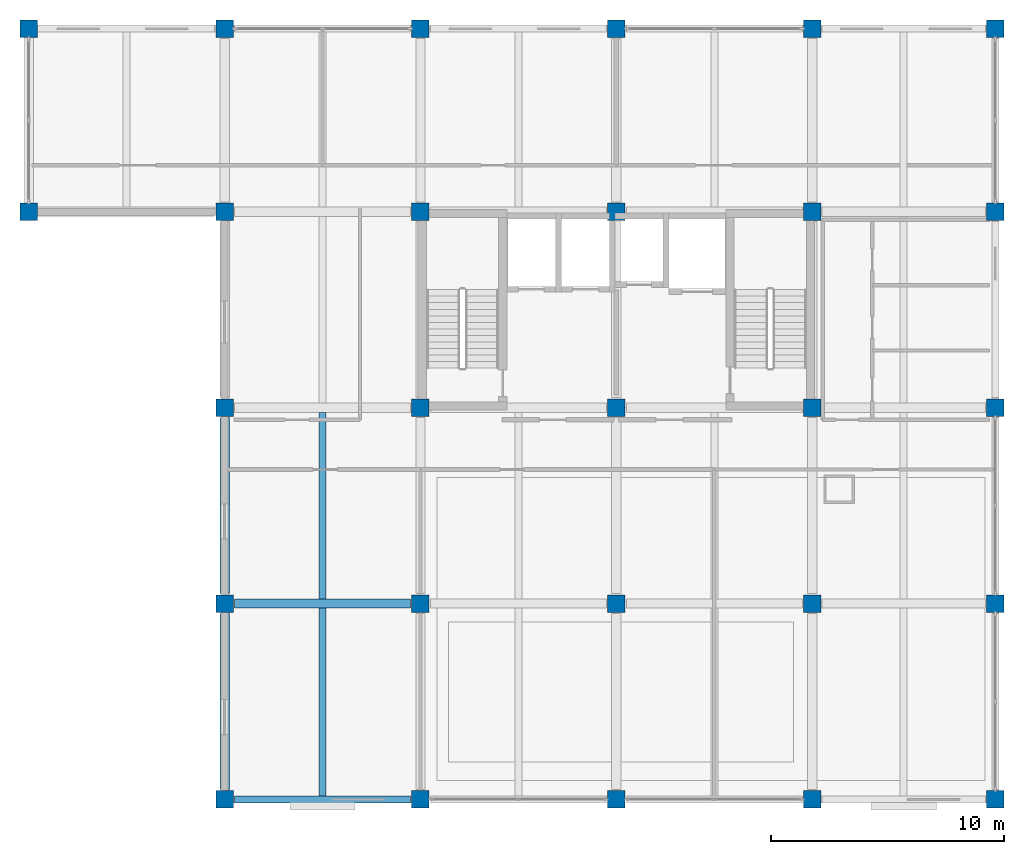
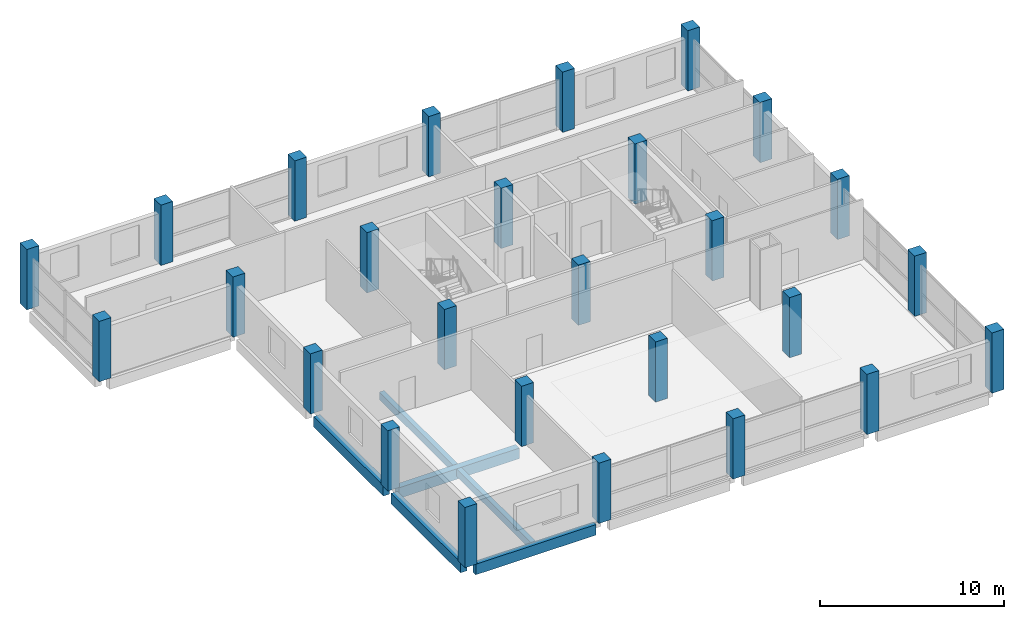
# One storey, part 1 of 9: 27 columns, 6 beams.
"""IFC4 building model written with IfcOpenShell, lengths in metres."""

import ifcopenshell
import ifcopenshell.guid

model = None  # the IFC model being written
_history = None  # IfcOwnerHistory: only IFC2X3 demands one
_inside = {}  # id of a spatial element -> (the spatial element, [elements in it])
_under = {}  # id of a project, library or spatial element -> (it, [spatial elements below it])
_declared = {}  # id of a project -> (the project, [libraries it declares])
_typed = {}  # id of a type object -> (the type object, [elements of that type])
_made_of = {}  # id of a material, layer set ... -> (it, [elements and type objects made of it])


def new_model(schema):
    """Start an empty IFC model of exactly this schema.

    Asked for "IFC4X3", IfcOpenShell would pick the latest addendum, in which some entities
    have other attributes; the version numbers below select the first issue.
    IFC2X3 requires an IfcOwnerHistory on every rooted entity: one is made here for all.
    """
    global model, _history
    if schema == "IFC4X3":
        model = ifcopenshell.file(schema_version=(4, 3, 0, 0))
    else:
        model = ifcopenshell.file(schema=schema)
    _inside.clear()
    _under.clear()
    _declared.clear()
    _typed.clear()
    _made_of.clear()
    _history = None
    if model.schema == "IFC2X3":
        org = make("IfcOrganization", Name="unknown")
        user = make(
            "IfcPersonAndOrganization",
            ThePerson=make("IfcPerson", FamilyName="unknown"),
            TheOrganization=org,
        )
        app = make(
            "IfcApplication",
            ApplicationDeveloper=org,
            Version="unknown",
            ApplicationFullName="unknown",
            ApplicationIdentifier="unknown",
        )
        _history = make(
            "IfcOwnerHistory",
            OwningUser=user,
            OwningApplication=app,
            ChangeAction="ADDED",
            CreationDate=0,
        )
    return model


def make(cls, **values):
    """One entity of the class cls with the attributes given. An attribute that is None is left unset."""
    return model.create_entity(
        cls, **{name: value for name, value in values.items() if value is not None}
    )


def rooted(cls, **values):
    """An entity with a GlobalId (a new one), such as an element, a storey or a relation."""
    return make(cls, GlobalId=ifcopenshell.guid.new(), OwnerHistory=_history, **values)


def si_unit(unit_type, name, prefix=None):
    """IfcSIUnit, for example si_unit("LENGTHUNIT", "METRE", prefix="MILLI")."""
    return make("IfcSIUnit", UnitType=unit_type, Prefix=prefix, Name=name)


def assignment(units):
    """IfcUnitAssignment: the units of a project."""
    return None if units is None else make("IfcUnitAssignment", Units=units)


def point(xyz):
    """IfcCartesianPoint."""
    return None if xyz is None else make("IfcCartesianPoint", Coordinates=xyz)


def direction(xyz):
    """IfcDirection."""
    return None if xyz is None else make("IfcDirection", DirectionRatios=xyz)


def frame(location, z_axis=None, x_axis=None):
    """IfcAxis2Placement3D, a coordinate frame: its origin and axes. An axis left out is left unset."""
    return make(
        "IfcAxis2Placement3D",
        Location=point(location),
        Axis=direction(z_axis),
        RefDirection=direction(x_axis),
    )


def frame_2d(location, x_axis=None):
    """IfcAxis2Placement2D, a coordinate frame in the plane: its origin and x axis."""
    return make(
        "IfcAxis2Placement2D", Location=point(location), RefDirection=direction(x_axis)
    )


def origin():
    """The frame at (0, 0, 0) with its axes left unset."""
    return frame((0.0, 0.0, 0.0))


def origin_2d():
    """The frame at (0, 0) in the plane with its x axis left unset."""
    return frame_2d((0.0, 0.0))


def place(relative_to, where):
    """IfcLocalPlacement: puts the frame where relative to a parent placement (None: the world)."""
    return make(
        "IfcLocalPlacement", PlacementRelTo=relative_to, RelativePlacement=where
    )


def context(
    kind, dimensions, precision=None, world=None, true_north=None, identifier=None
):
    """IfcGeometricRepresentationContext, for example the 3D "Model" context."""
    return make(
        "IfcGeometricRepresentationContext",
        ContextIdentifier=identifier,
        ContextType=kind,
        CoordinateSpaceDimension=dimensions,
        Precision=precision,
        WorldCoordinateSystem=world,
        TrueNorth=true_north,
    )


def subcontext(parent, identifier, kind, view, scale=None):
    """IfcGeometricRepresentationSubContext, for example "Body" below "Model"."""
    return make(
        "IfcGeometricRepresentationSubContext",
        ContextIdentifier=identifier,
        ContextType=kind,
        ParentContext=parent,
        TargetScale=scale,
        TargetView=view,
    )


def project(units=None, contexts=None):
    """IfcProject with its units and contexts."""
    return rooted(
        "IfcProject",
        Name="project",
        RepresentationContexts=contexts,
        UnitsInContext=assignment(units),
    )


def spatial(cls, under=None, at=None, **own):
    """A site, building, storey or space (cls), placed at a placement, below another one or the project."""
    s = rooted(cls, ObjectPlacement=at, **own)
    if under is not None:
        _under.setdefault(under.id(), (under, []))[1].append(s)
    return s


def profile(cls, at=None, kind="AREA", **sizes):
    """A parametric profile (cls). Its sizes go by their IFC names, for example OverallWidth=200.0."""
    return make(cls, ProfileType=kind, Position=at, **sizes)


def rectangle(**sizes):
    """IfcRectangleProfileDef."""
    return profile("IfcRectangleProfileDef", **sizes)


def extrude(swept, where, along, depth):
    """IfcExtrudedAreaSolid: the profile swept, set in the frame where, extruded along a direction by depth."""
    return make(
        "IfcExtrudedAreaSolid",
        SweptArea=swept,
        Position=where,
        ExtrudedDirection=direction(along),
        Depth=depth,
    )


def shape(context_of_items, identifier, shape_type, items):
    """IfcShapeRepresentation: the items that make up one representation, for example the "Body"."""
    return make(
        "IfcShapeRepresentation",
        ContextOfItems=context_of_items,
        RepresentationIdentifier=identifier,
        RepresentationType=shape_type,
        Items=items,
    )


def material(Name=None, Category=None):
    """IfcMaterial."""
    return make("IfcMaterial", Name=Name, Category=Category)


def material_profile(
    of_material, cross_section, Name=None, Category=None, Priority=None
):
    """IfcMaterialProfile: a cross section and its material."""
    return make(
        "IfcMaterialProfile",
        Name=Name,
        Material=of_material,
        Profile=cross_section,
        Priority=Priority,
        Category=Category,
    )


def profile_set(profiles, Name=None, composite=None):
    """IfcMaterialProfileSet."""
    return make(
        "IfcMaterialProfileSet",
        Name=Name,
        MaterialProfiles=profiles,
        CompositeProfile=composite,
    )


def made_of(thing, what):
    """Note that an element or type object is made of a material, layer set ...; save() writes the relation."""
    if what is not None:
        _made_of.setdefault(what.id(), (what, []))[1].append(thing)
    return thing


def type_object(cls, material=None, **own):
    """A type object (cls), such as IfcWallType, which elements share."""
    return made_of(rooted(cls, **own), material)


def element(
    cls,
    number,
    at=None,
    inside=None,
    cuts=None,
    type_object=None,
    material=None,
    context=None,
    identifier="Body",
    shape_type=None,
    held_by="IfcProductDefinitionShape",
    body=None,
    shapes=None,
    **own,
):
    """One element of the class cls, such as IfcWall. Its Tag is "e" and its number.

    at: its placement. inside: the storey or other place that contains it. cuts: it is an
    opening in that element (IfcRelVoidsElement). A single representation is given by context,
    identifier, shape_type and body (its items); several are given by shapes. held_by: the class
    of the entity that holds the representations. save() writes the other relations.
    """
    e = rooted(cls, Tag="e%d" % number, ObjectPlacement=at, **own)
    if body is not None:
        shapes = [shape(context, identifier, shape_type, body)]
    if shapes is not None:
        e.Representation = make(held_by, Representations=shapes)
    if inside is not None:
        _inside.setdefault(inside.id(), (inside, []))[1].append(e)
    if cuts is not None:
        rooted(
            "IfcRelVoidsElement", RelatingBuildingElement=cuts, RelatedOpeningElement=e
        )
    if type_object is not None:
        _typed.setdefault(type_object.id(), (type_object, []))[1].append(e)
    return made_of(e, material)


def aggregate(whole, parts):
    """IfcRelAggregates: a whole, such as a stair, and the parts it consists of."""
    return rooted("IfcRelAggregates", RelatingObject=whole, RelatedObjects=parts)


def save(model, path):
    """Write the relations noted so far, then the file.

    IfcRelAggregates (storeys below a building ...), IfcRelContainedInSpatialStructure (elements
    in a storey), IfcRelDefinesByType, IfcRelAssociatesMaterial and IfcRelDeclares: one each for
    every whole, place, type object, material and project.
    """
    for whole, parts in _under.values():
        aggregate(whole, parts)
    for where, things in _inside.values():
        rooted(
            "IfcRelContainedInSpatialStructure",
            RelatedElements=things,
            RelatingStructure=where,
        )
    for kind, things in _typed.values():
        rooted("IfcRelDefinesByType", RelatedObjects=things, RelatingType=kind)
    for what, things in _made_of.values():
        rooted("IfcRelAssociatesMaterial", RelatedObjects=things, RelatingMaterial=what)
    for by, libraries in _declared.values():
        rooted("IfcRelDeclares", RelatingContext=by, RelatedDefinitions=libraries)
    model.write(path)


model = new_model("IFC4")

# Units and contexts
model_context = context("Model", 3, precision=1e-05, world=origin(), true_north=direction((0.0, 1.0)))
body_context = subcontext(model_context, "Body", "Model", "MODEL_VIEW")
ifc_project = project(units=[si_unit("LENGTHUNIT", "METRE"), si_unit("AREAUNIT", "SQUARE_METRE"), si_unit("VOLUMEUNIT", "CUBIC_METRE"), si_unit("PLANEANGLEUNIT", "RADIAN"), si_unit("MASSUNIT", "GRAM", prefix="KILO")], contexts=[model_context])

# Site, building, storey
site_placement = place(None, origin())
site = spatial("IfcSite", under=ifc_project, at=site_placement, CompositionType="ELEMENT")
building_placement = place(site_placement, origin())
building = spatial("IfcBuilding", under=site, at=building_placement, Name="Brinegate Botanical Conservatory", CompositionType="ELEMENT")
storey_placement = place(building_placement, frame((0.0, 0.0, 40.199951171875)))
storey = spatial("IfcBuildingStorey", under=building, at=storey_placement, Name="L10", CompositionType="ELEMENT", Elevation=40.199951171875)

# Columns
ifc_material = material(Name="Concrete C40/50", Category="concrete")
ifc_material_profile_1 = material_profile(ifc_material, rectangle(XDim=0.75, YDim=0.75, at=origin_2d()), Name="RC COL 750x750")
ifc_profile_set_1 = profile_set([ifc_material_profile_1], Name="Concrete C40/50")
column_type = type_object("IfcColumnType", Name="Col_C-T4", PredefinedType="COLUMN", material=ifc_profile_set_1)
for number, where, z_axis, x_axis, name in (
    (1, (122.0, 103.60009765625, 0.0), (0.0, 0.0, 1.0), (1.0, 0.0, 0.0), "Column C-T4 L10 N-16"),
    (2, (122.0, 111.449951171875, 0.0), (0.0, 0.0, 1.0), (1.0, 0.0, 0.0), "Column C-T4 L10 P-16"),
    (3, (130.39990234375, 78.39990234375, 0.0), (0.0, 0.0, 1.0), (1.0, 0.0, 0.0), "Column C-T4 L10 K-17"),
    (4, (130.39990234375, 86.800048828125, 0.0), (0.0, 0.0, 1.0), (1.0, 0.0, 0.0), "Column C-T4 L10 L-17"),
    (5, (130.39990234375, 95.199951171875, 0.0), (0.0, 0.0, 1.0), (1.0, 0.0, 0.0), "Column C-T4 L10 M-17"),
    (6, (130.39990234375, 103.60009765625, 0.0), (0.0, 0.0, 1.0), (1.0, 0.0, 0.0), "Column C-T4 L10 N-17"),
    (7, (130.39990234375, 111.449951171875, 0.0), (0.0, 0.0, 1.0), (1.0, 0.0, 0.0), "Column C-T4 L10 P-17"),
    (8, (138.800048828125, 78.39990234375, 0.0), (0.0, 0.0, 1.0), (1.0, 0.0, 0.0), "Column C-T4 L10 K-18"),
    (9, (138.800048828125, 86.800048828125, 0.0), (0.0, 0.0, 1.0), (1.0, 0.0, 0.0), "Column C-T4 L10 L-18"),
    (10, (138.800048828125, 95.199951171875, 0.0), (0.0, 0.0, 1.0), (1.0, 0.0, 0.0), "Column C-T4 L10 M-18"),
    (11, (138.800048828125, 103.60009765625, 0.0), (0.0, 0.0, 1.0), (1.0, 0.0, 0.0), "Column C-T4 L10 N-18"),
    (12, (138.800048828125, 111.449951171875, 0.0), (0.0, 0.0, 1.0), (1.0, 0.0, 0.0), "Column C-T4 L10 P-18"),
    (13, (147.199951171875, 78.39990234375, 0.0), (0.0, 0.0, 1.0), (1.0, 0.0, 0.0), "Column C-T4 L10 K-19"),
    (14, (147.199951171875, 86.800048828125, 0.0), (0.0, 0.0, 1.0), (1.0, 0.0, 0.0), "Column C-T4 L10 L-19"),
    (15, (147.199951171875, 95.199951171875, 0.0), (0.0, 0.0, 1.0), (1.0, 0.0, 0.0), "Column C-T4 L10 M-19"),
    (16, (147.199951171875, 103.60009765625, 0.0), (0.0, 0.0, 1.0), (1.0, 0.0, 0.0), "Column C-T4 L10 N-19"),
    (17, (147.199951171875, 111.449951171875, 0.0), (0.0, 0.0, 1.0), (1.0, 0.0, 0.0), "Column C-T4 L10 P-19"),
    (18, (155.60009765625, 78.39990234375, 0.0), (0.0, 0.0, 1.0), (1.0, 0.0, 0.0), "Column C-T4 L10 K-20"),
    (19, (155.60009765625, 86.800048828125, 0.0), (0.0, 0.0, 1.0), (1.0, 0.0, 0.0), "Column C-T4 L10 L-20"),
    (20, (155.60009765625, 95.199951171875, 0.0), (0.0, 0.0, 1.0), (1.0, 0.0, 0.0), "Column C-T4 L10 M-20"),
    (21, (155.60009765625, 103.60009765625, 0.0), (0.0, 0.0, 1.0), (1.0, 0.0, 0.0), "Column C-T4 L10 N-20"),
    (22, (155.60009765625, 111.449951171875, 0.0), (0.0, 0.0, 1.0), (1.0, 0.0, 0.0), "Column C-T4 L10 P-20"),
    (23, (163.449951171875, 78.39990234375, 0.0), (0.0, 0.0, 1.0), (1.0, 0.0, 0.0), "Column C-T4 L10 K-21"),
    (24, (163.449951171875, 86.800048828125, 0.0), (0.0, 0.0, 1.0), (1.0, 0.0, 0.0), "Column C-T4 L10 L-21"),
    (25, (163.449951171875, 95.199951171875, 0.0), (0.0, 0.0, 1.0), (1.0, 0.0, 0.0), "Column C-T4 L10 M-21"),
    (26, (163.449951171875, 103.60009765625, 0.0), (0.0, 0.0, 1.0), (1.0, 0.0, 0.0), "Column C-T4 L10 N-21"),
    (27, (163.449951171875, 111.449951171875, 0.0), (0.0, 0.0, 1.0), (1.0, 0.0, 0.0), "Column C-T4 L10 P-21"),
):
    element("IfcColumn", number, at=place(storey_placement, frame(where, z_axis=z_axis, x_axis=x_axis)), inside=storey, type_object=column_type, Name=name, PredefinedType="COLUMN", context=body_context, shape_type="SweptSolid", body=[
        extrude(rectangle(XDim=0.75, YDim=0.75, at=origin_2d()), origin(), (0.0, 0.0, 1.0), 4.0),
    ])

# Beams
ifc_material_profile_2 = material_profile(ifc_material, rectangle(XDim=0.39990234375, YDim=0.699951171875, at=origin_2d()), Name="RC BM 400x700")
ifc_profile_set_2 = profile_set([ifc_material_profile_2], Name="Concrete C40/50")
beam_type_1 = type_object("IfcBeamType", Name="Beam_BM-T2", PredefinedType="BEAM", material=ifc_profile_set_2)
for number, where, z_axis, x_axis, name in (
    (28, (130.824951171875, 86.800048828125, -0.530029296875), (1.0, 0.0, 0.0), (0.0, 1.0, 0.0), "Beam BM-T2 L10 L:17-18"),
    (29, (130.39990234375, 78.824951171875, -0.530029296875), (0.0, 1.0, 0.0), (-1.0, 0.0, 0.0), "Beam BM-T2 L10 17:K-L"),
):
    element("IfcBeam", number, at=place(storey_placement, frame(where, z_axis=z_axis, x_axis=x_axis)), inside=storey, type_object=beam_type_1, Name=name, PredefinedType="BEAM", context=body_context, shape_type="SweptSolid", body=[
        extrude(rectangle(XDim=0.39990234375, YDim=0.699951171875, at=origin_2d()), origin(), (0.0, 0.0, 1.0), 7.550048828125),
    ])
beam_1_placement = place(storey_placement, frame((130.39990234375, 87.22509765625, -0.530029296875), z_axis=(0.0, 1.0, 0.0), x_axis=(-1.0, 0.0, 0.0)))
element("IfcBeam", 30, at=beam_1_placement, inside=storey, type_object=beam_type_1, Name="Beam BM-T2 L10 17:L-M", PredefinedType="BEAM", context=body_context, shape_type="SweptSolid", body=[
    extrude(rectangle(XDim=0.39990234375, YDim=0.699951171875, at=origin_2d()), origin(), (0.0, 0.0, 1.0), 7.5498046875),
])
ifc_material_profile_3 = material_profile(ifc_material, rectangle(XDim=0.300048828125, YDim=0.5, at=origin_2d()), Name="RC JST 300x500")
ifc_profile_set_3 = profile_set([ifc_material_profile_3], Name="Concrete C40/50")
beam_type_2 = type_object("IfcBeamType", Name="Beam_JS-C2", PredefinedType="JOIST", material=ifc_profile_set_3)
beam_2_placement = place(storey_placement, frame((134.60009765625, 78.550048828125, -0.429931640625), z_axis=(0.0, 1.0, 0.0), x_axis=(-1.0, 0.0, 0.0)))
element("IfcBeam", 31, at=beam_2_placement, inside=storey, type_object=beam_type_2, Name="Floor joist JS-C2 L10 bay 17.10", PredefinedType="JOIST", context=body_context, shape_type="SweptSolid", body=[
    extrude(rectangle(XDim=0.300048828125, YDim=0.5, at=origin_2d()), origin(), (0.0, 0.0, 1.0), 8.050048828125),
])
beam_3_placement = place(storey_placement, frame((134.60009765625, 87.0, -0.429931640625), z_axis=(0.0, 1.0, 0.0), x_axis=(-1.0, 0.0, 0.0)))
element("IfcBeam", 32, at=beam_3_placement, inside=storey, type_object=beam_type_2, Name="Floor joist JS-C2 L10 bay 17.11", PredefinedType="JOIST", context=body_context, shape_type="SweptSolid", body=[
    extrude(rectangle(XDim=0.300048828125, YDim=0.5, at=origin_2d()), origin(), (0.0, 0.0, 1.0), 8.0),
])
ifc_material_profile_4 = material_profile(ifc_material, rectangle(XDim=0.300048828125, YDim=0.699951171875, at=origin_2d()), Name="RC SPN 300x700")
ifc_profile_set_4 = profile_set([ifc_material_profile_4], Name="Concrete C40/50")
beam_type_3 = type_object("IfcBeamType", Name="Beam_SP-02", PredefinedType="SPANDREL", material=ifc_profile_set_4)
beam_4_placement = place(storey_placement, frame((130.824951171875, 78.39990234375, -0.530029296875), z_axis=(1.0, 0.0, 0.0), x_axis=(0.0, 1.0, 0.0)))
element("IfcBeam", 33, at=beam_4_placement, inside=storey, type_object=beam_type_3, Name="Beam SP-02 L10 K:17-18", PredefinedType="SPANDREL", context=body_context, shape_type="SweptSolid", body=[
    extrude(rectangle(XDim=0.300048828125, YDim=0.699951171875, at=origin_2d()), origin(), (0.0, 0.0, 1.0), 7.550048828125),
])

save(model, "model.ifc")
